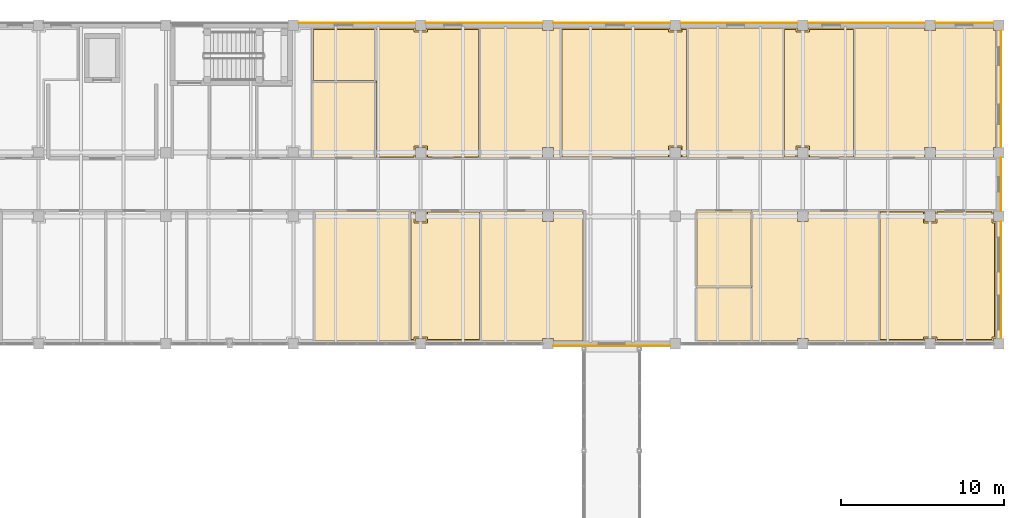
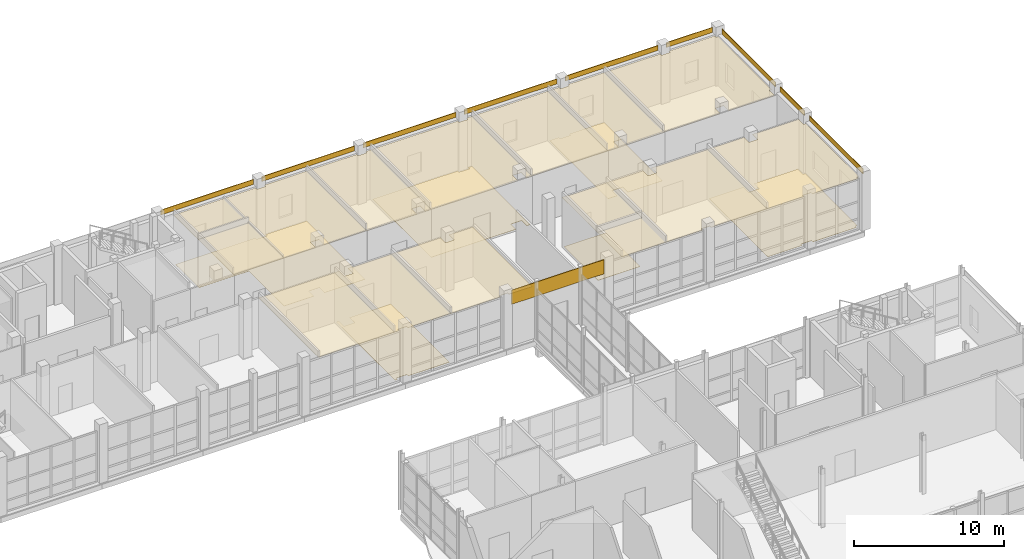
# One storey, part 129 of 131: 29 coverings.
"""IFC4 building model written with IfcOpenShell, lengths in metres."""

from ifc_helpers import new_model, si_unit, direction, frame, origin, origin_2d, place, context, subcontext, project, spatial, polyline, rectangle, outline, extrude, material, layer, layer_set, type_object, element, save


model = new_model("IFC4")

# Units and contexts
model_context = context("Model", 3, precision=1e-05, world=origin(), true_north=direction((0.0, 1.0)))
body_context = subcontext(model_context, "Body", "Model", "MODEL_VIEW")
ifc_project = project(units=[si_unit("LENGTHUNIT", "METRE"), si_unit("AREAUNIT", "SQUARE_METRE"), si_unit("VOLUMEUNIT", "CUBIC_METRE"), si_unit("PLANEANGLEUNIT", "RADIAN"), si_unit("MASSUNIT", "GRAM", prefix="KILO")], contexts=[model_context])

# Site, building, storey
site_placement = place(None, origin())
site = spatial("IfcSite", under=ifc_project, at=site_placement, CompositionType="ELEMENT")
building_placement = place(site_placement, origin())
building = spatial("IfcBuilding", under=site, at=building_placement, Name="Celorna Specialist Clinic", CompositionType="ELEMENT")
storey_placement = place(building_placement, origin())
storey = spatial("IfcBuildingStorey", under=building, at=storey_placement, Name="L00", CompositionType="ELEMENT", Elevation=0.0)

# Coverings
ifc_material_1 = material(Name="Hygienic acoustic mineral-fibre ceiling")
ifc_layer_1 = layer(ifc_material_1, 0.030029296875, Name="Hygienic acoustic mineral-fibre ceiling")
ifc_layer_set_1 = layer_set([ifc_layer_1], Name="Hygienic acoustic mineral-fibre ceiling")
covering_type_1 = type_object("IfcCoveringType", Name="CE-01", PredefinedType="CEILING", material=ifc_layer_set_1)
covering_1_placement = place(storey_placement, frame((0.0, 0.0, 3.989990234375)))
element("IfcCovering", 1, at=covering_1_placement, inside=storey, type_object=covering_type_1, Name="Acoustic ceiling L00-065", PredefinedType="CEILING", context=body_context, shape_type="SweptSolid", body=[
    extrude(outline(polyline([(131.93505859375, 104.6650390625), (131.93505859375, 96.655029296875), (126.054931640625, 96.655029296875), (126.054931640625, 104.6650390625), (131.93505859375, 104.6650390625)])), origin(), (0.0, 0.0, 1.0), 0.030029296875),
])
covering_2_placement = place(storey_placement, frame((0.0, 0.0, 3.989990234375)))
element("IfcCovering", 2, at=covering_2_placement, inside=storey, type_object=covering_type_1, Name="Acoustic ceiling L00-066", PredefinedType="CEILING", context=body_context, shape_type="SweptSolid", body=[
    extrude(outline(polyline([(132.280029296875, 104.6650390625), (132.280029296875, 104.6298828125), (132.27001953125, 104.6298828125), (132.27001953125, 103.969970703125), (132.929931640625, 103.969970703125), (132.929931640625, 104.6298828125), (132.919921875, 104.6298828125), (132.919921875, 104.6650390625), (136.284912109375, 104.6650390625), (136.284912109375, 96.655029296875), (132.929931640625, 96.655029296875), (132.929931640625, 96.830078125), (132.27001953125, 96.830078125), (132.27001953125, 96.655029296875), (131.905029296875, 96.655029296875), (131.905029296875, 104.6650390625), (132.280029296875, 104.6650390625)])), origin(), (0.0, 0.0, 1.0), 0.030029296875),
])
covering_3_placement = place(storey_placement, frame((0.0, 0.0, 3.989990234375)))
element("IfcCovering", 3, at=covering_3_placement, inside=storey, type_object=covering_type_1, Name="Acoustic ceiling L00-067", PredefinedType="CEILING", context=body_context, shape_type="SweptSolid", body=[
    extrude(outline(polyline([(140.080078125, 104.6650390625), (140.080078125, 104.6298828125), (140.070068359375, 104.6298828125), (140.070068359375, 103.969970703125), (140.72998046875, 103.969970703125), (140.72998046875, 104.6298828125), (140.719970703125, 104.6298828125), (140.719970703125, 104.6650390625), (142.544921875, 104.6650390625), (142.544921875, 96.655029296875), (140.72998046875, 96.655029296875), (140.72998046875, 96.830078125), (140.070068359375, 96.830078125), (140.070068359375, 96.655029296875), (136.2548828125, 96.655029296875), (136.2548828125, 104.6650390625), (140.080078125, 104.6650390625)])), origin(), (0.0, 0.0, 1.0), 0.030029296875),
])
covering_4_placement = place(storey_placement, frame((0.0, 0.0, 3.989990234375)))
element("IfcCovering", 4, at=covering_4_placement, inside=storey, type_object=covering_type_1, Name="Acoustic ceiling L00-068", PredefinedType="CEILING", context=body_context, shape_type="SweptSolid", body=[
    extrude(outline(polyline([(152.885009765625, 104.6650390625), (152.885009765625, 99.93505859375), (149.455078125, 99.93505859375), (149.455078125, 104.6650390625), (152.885009765625, 104.6650390625)])), origin(), (0.0, 0.0, 1.0), 0.030029296875),
])
covering_5_placement = place(storey_placement, frame((0.0, 0.0, 3.989990234375)))
element("IfcCovering", 5, at=covering_5_placement, inside=storey, type_object=covering_type_1, Name="Acoustic ceiling L00-069", PredefinedType="CEILING", context=body_context, shape_type="SweptSolid", body=[
    extrude(outline(polyline([(152.85498046875, 104.6650390625), (155.679931640625, 104.6650390625), (155.679931640625, 104.6298828125), (155.669921875, 104.6298828125), (155.669921875, 103.969970703125), (156.330078125, 103.969970703125), (156.330078125, 104.6298828125), (156.320068359375, 104.6298828125), (156.320068359375, 104.6650390625), (160.68505859375, 104.6650390625), (160.68505859375, 96.655029296875), (156.330078125, 96.655029296875), (156.330078125, 96.830078125), (155.669921875, 96.830078125), (155.669921875, 96.655029296875), (149.455078125, 96.655029296875), (149.455078125, 99.965087890625), (152.85498046875, 99.965087890625), (152.85498046875, 104.6650390625)])), origin(), (0.0, 0.0, 1.0), 0.030029296875),
])
covering_6_placement = place(storey_placement, frame((0.0, 0.0, 3.989990234375)))
element("IfcCovering", 6, at=covering_6_placement, inside=storey, type_object=covering_type_1, Name="Acoustic ceiling L00-070", PredefinedType="CEILING", context=body_context, shape_type="SweptSolid", body=[
    extrude(outline(polyline([(163.47998046875, 104.6650390625), (163.47998046875, 104.6298828125), (163.469970703125, 104.6298828125), (163.469970703125, 103.969970703125), (164.1298828125, 103.969970703125), (164.1298828125, 104.6298828125), (164.1201171875, 104.6298828125), (164.1201171875, 104.6650390625), (167.679931640625, 104.6650390625), (167.679931640625, 104.6298828125), (167.669921875, 104.6298828125), (167.669921875, 103.969970703125), (167.844970703125, 103.969970703125), (167.844970703125, 96.830078125), (167.669921875, 96.830078125), (167.669921875, 96.655029296875), (164.1298828125, 96.655029296875), (164.1298828125, 96.830078125), (163.469970703125, 96.830078125), (163.469970703125, 96.655029296875), (160.655029296875, 96.655029296875), (160.655029296875, 104.6650390625), (163.47998046875, 104.6650390625)])), origin(), (0.0, 0.0, 1.0), 0.030029296875),
])
covering_7_placement = place(storey_placement, frame((0.0, 0.0, 3.989990234375)))
element("IfcCovering", 7, at=covering_7_placement, inside=storey, type_object=covering_type_1, Name="Acoustic ceiling L00-081", PredefinedType="CEILING", context=body_context, shape_type="SweptSolid", body=[
    extrude(outline(polyline([(129.8349609375, 112.56494140625), (129.8349609375, 107.8349609375), (125.955078125, 107.8349609375), (125.955078125, 112.56494140625), (129.8349609375, 112.56494140625)])), origin(), (0.0, 0.0, 1.0), 0.030029296875),
])
covering_8_placement = place(storey_placement, frame((0.0, 0.0, 3.989990234375)))
element("IfcCovering", 8, at=covering_8_placement, inside=storey, type_object=covering_type_1, Name="Acoustic ceiling L00-082", PredefinedType="CEILING", context=body_context, shape_type="SweptSolid", body=[
    extrude(outline(polyline([(129.804931640625, 112.534912109375), (125.955078125, 112.534912109375), (125.955078125, 115.844970703125), (132.27001953125, 115.844970703125), (132.27001953125, 115.669921875), (132.929931640625, 115.669921875), (132.929931640625, 115.844970703125), (136.235107421875, 115.844970703125), (136.235107421875, 107.8349609375), (132.919921875, 107.8349609375), (132.919921875, 107.8701171875), (132.929931640625, 107.8701171875), (132.929931640625, 108.530029296875), (132.27001953125, 108.530029296875), (132.27001953125, 107.8701171875), (132.280029296875, 107.8701171875), (132.280029296875, 107.8349609375), (129.804931640625, 107.8349609375), (129.804931640625, 112.534912109375)])), origin(), (0.0, 0.0, 1.0), 0.030029296875),
])
covering_9_placement = place(storey_placement, frame((0.0, 0.0, 3.989990234375)))
element("IfcCovering", 9, at=covering_9_placement, inside=storey, type_object=covering_type_1, Name="Acoustic ceiling L00-083", PredefinedType="CEILING", context=body_context, shape_type="SweptSolid", body=[
    extrude(outline(polyline([(140.070068359375, 115.844970703125), (140.070068359375, 115.669921875), (140.72998046875, 115.669921875), (140.72998046875, 115.844970703125), (141.18505859375, 115.844970703125), (141.18505859375, 107.8349609375), (140.719970703125, 107.8349609375), (140.719970703125, 107.8701171875), (140.72998046875, 107.8701171875), (140.72998046875, 108.530029296875), (140.070068359375, 108.530029296875), (140.070068359375, 107.8701171875), (140.080078125, 107.8701171875), (140.080078125, 107.8349609375), (136.205078125, 107.8349609375), (136.205078125, 115.844970703125), (140.070068359375, 115.844970703125)])), origin(), (0.0, 0.0, 1.0), 0.030029296875),
])
covering_10_placement = place(storey_placement, frame((0.0, 0.0, 3.989990234375)))
element("IfcCovering", 10, at=covering_10_placement, inside=storey, type_object=covering_type_1, Name="Acoustic ceiling L00-084", PredefinedType="CEILING", context=body_context, shape_type="SweptSolid", body=[
    extrude(outline(polyline([(147.8701171875, 115.844970703125), (147.8701171875, 115.669921875), (148.530029296875, 115.669921875), (148.530029296875, 115.844970703125), (148.985107421875, 115.844970703125), (148.985107421875, 107.8349609375), (148.52001953125, 107.8349609375), (148.52001953125, 107.8701171875), (148.530029296875, 107.8701171875), (148.530029296875, 108.530029296875), (147.8701171875, 108.530029296875), (147.8701171875, 107.8701171875), (147.8798828125, 107.8701171875), (147.8798828125, 107.8349609375), (141.155029296875, 107.8349609375), (141.155029296875, 115.844970703125), (147.8701171875, 115.844970703125)])), origin(), (0.0, 0.0, 1.0), 0.030029296875),
])
covering_11_placement = place(storey_placement, frame((0.0, 0.0, 3.989990234375)))
element("IfcCovering", 11, at=covering_11_placement, inside=storey, type_object=covering_type_1, Name="Acoustic ceiling L00-085", PredefinedType="CEILING", context=body_context, shape_type="SweptSolid", body=[
    extrude(outline(polyline([(154.8349609375, 115.844970703125), (154.8349609375, 107.8349609375), (148.955078125, 107.8349609375), (148.955078125, 115.844970703125), (154.8349609375, 115.844970703125)])), origin(), (0.0, 0.0, 1.0), 0.030029296875),
])
covering_12_placement = place(storey_placement, frame((0.0, 0.0, 3.989990234375)))
element("IfcCovering", 12, at=covering_12_placement, inside=storey, type_object=covering_type_1, Name="Acoustic ceiling L00-086", PredefinedType="CEILING", context=body_context, shape_type="SweptSolid", body=[
    extrude(outline(polyline([(155.669921875, 115.844970703125), (155.669921875, 115.669921875), (156.330078125, 115.669921875), (156.330078125, 115.844970703125), (159.18505859375, 115.844970703125), (159.18505859375, 107.8349609375), (156.320068359375, 107.8349609375), (156.320068359375, 107.8701171875), (156.330078125, 107.8701171875), (156.330078125, 108.530029296875), (155.669921875, 108.530029296875), (155.669921875, 107.8701171875), (155.679931640625, 107.8701171875), (155.679931640625, 107.8349609375), (154.804931640625, 107.8349609375), (154.804931640625, 115.844970703125), (155.669921875, 115.844970703125)])), origin(), (0.0, 0.0, 1.0), 0.030029296875),
])
covering_13_placement = place(storey_placement, frame((0.0, 0.0, 3.989990234375)))
element("IfcCovering", 13, at=covering_13_placement, inside=storey, type_object=covering_type_1, Name="Acoustic ceiling L00-087", PredefinedType="CEILING", context=body_context, shape_type="SweptSolid", body=[
    extrude(outline(polyline([(163.469970703125, 115.844970703125), (163.469970703125, 115.669921875), (164.1298828125, 115.669921875), (164.1298828125, 115.844970703125), (167.669921875, 115.844970703125), (167.669921875, 115.669921875), (167.844970703125, 115.669921875), (167.844970703125, 108.530029296875), (167.669921875, 108.530029296875), (167.669921875, 107.8701171875), (167.679931640625, 107.8701171875), (167.679931640625, 107.8349609375), (164.1201171875, 107.8349609375), (164.1201171875, 107.8701171875), (164.1298828125, 107.8701171875), (164.1298828125, 108.530029296875), (163.469970703125, 108.530029296875), (163.469970703125, 107.8701171875), (163.47998046875, 107.8701171875), (163.47998046875, 107.8349609375), (159.155029296875, 107.8349609375), (159.155029296875, 115.844970703125), (163.469970703125, 115.844970703125)])), origin(), (0.0, 0.0, 1.0), 0.030029296875),
])
ifc_material_2 = material(Name="Pero Pinheiro Lioz limestone rainscreen cladding", Category="masonry")
ifc_layer_2 = layer(ifc_material_2, 0.044921875, Name="Pero Pinheiro Lioz limestone rainscreen cladding")
ifc_layer_set_2 = layer_set([ifc_layer_2], Name="Pero Pinheiro Lioz limestone rainscreen cladding")
covering_type_2 = type_object("IfcCoveringType", Name="CL-01", PredefinedType="CLADDING", material=ifc_layer_set_2)
covering_14_placement = place(storey_placement, frame((144.300048828125, 96.3525390625, 3.384765625), z_axis=(0.0, 0.0, 1.0), x_axis=(-1.0, 0.0, 0.0)))
element("IfcCovering", 14, at=covering_14_placement, inside=storey, type_object=covering_type_2, Name="Lioz spandrel cladding #158", PredefinedType="CLADDING", context=body_context, shape_type="SweptSolid", body=[
    extrude(rectangle(XDim=7.14990234375, YDim=0.044921875, at=origin_2d()), origin(), (0.0, 0.0, 1.0), 1.155029296875),
])
for number, where, z_axis, x_axis, name in (
    (15, (128.699951171875, 116.1474609375, 4.14013671875), (0.0, 0.0, 1.0), (1.0, 0.0, 0.0), "Lioz spandrel cladding #175"),
    (16, (136.5, 116.1474609375, 4.14013671875), (0.0, 0.0, 1.0), (1.0, 0.0, 0.0), "Lioz spandrel cladding #176"),
    (17, (144.300048828125, 116.1474609375, 4.14013671875), (0.0, 0.0, 1.0), (1.0, 0.0, 0.0), "Lioz spandrel cladding #177"),
    (18, (152.10009765625, 116.1474609375, 4.14013671875), (0.0, 0.0, 1.0), (1.0, 0.0, 0.0), "Lioz spandrel cladding #178"),
    (19, (159.89990234375, 116.1474609375, 4.14013671875), (0.0, 0.0, 1.0), (1.0, 0.0, 0.0), "Lioz spandrel cladding #179"),
):
    element("IfcCovering", number, at=place(storey_placement, frame(where, z_axis=z_axis, x_axis=x_axis)), inside=storey, type_object=covering_type_2, Name=name, PredefinedType="CLADDING", context=body_context, shape_type="SweptSolid", body=[
        extrude(rectangle(XDim=7.14990234375, YDim=0.044921875, at=origin_2d()), origin(), (0.0, 0.0, 1.0), 0.39990234375),
    ])
covering_15_placement = place(storey_placement, frame((165.89990234375, 116.1474609375, 4.14013671875), z_axis=(0.0, 0.0, 1.0), x_axis=(1.0, 0.0, 0.0)))
element("IfcCovering", 20, at=covering_15_placement, inside=storey, type_object=covering_type_2, Name="Lioz spandrel cladding #180", PredefinedType="CLADDING", context=body_context, shape_type="SweptSolid", body=[
    extrude(rectangle(XDim=3.550048828125, YDim=0.044921875, at=origin_2d()), origin(), (0.0, 0.0, 1.0), 0.39990234375),
])
covering_16_placement = place(storey_placement, frame((168.1474609375, 100.39990234375, 4.14013671875), z_axis=(0.0, 0.0, 1.0), x_axis=(0.0, -1.0, 0.0)))
element("IfcCovering", 21, at=covering_16_placement, inside=storey, type_object=covering_type_2, Name="Lioz spandrel cladding #184", PredefinedType="CLADDING", context=body_context, shape_type="SweptSolid", body=[
    extrude(rectangle(XDim=7.14990234375, YDim=0.044921875, at=origin_2d()), origin(), (0.0, 0.0, 1.0), 0.39990234375),
])
covering_17_placement = place(storey_placement, frame((168.1474609375, 106.25, 4.14013671875), z_axis=(0.0, 0.0, 1.0), x_axis=(0.0, -1.0, 0.0)))
element("IfcCovering", 22, at=covering_17_placement, inside=storey, type_object=covering_type_2, Name="Lioz spandrel cladding #185", PredefinedType="CLADDING", context=body_context, shape_type="SweptSolid", body=[
    extrude(rectangle(XDim=3.25, YDim=0.044921875, at=origin_2d()), origin(), (0.0, 0.0, 1.0), 0.39990234375),
])
covering_18_placement = place(storey_placement, frame((168.1474609375, 112.10009765625, 4.14013671875), z_axis=(0.0, 0.0, 1.0), x_axis=(0.0, -1.0, 0.0)))
element("IfcCovering", 23, at=covering_18_placement, inside=storey, type_object=covering_type_2, Name="Lioz spandrel cladding #186", PredefinedType="CLADDING", context=body_context, shape_type="SweptSolid", body=[
    extrude(rectangle(XDim=7.14990234375, YDim=0.044921875, at=origin_2d()), origin(), (0.0, 0.0, 1.0), 0.39990234375),
])
ifc_material_3 = material(Name="Seamless antimicrobial clinical vinyl and Lioz terrazzo flooring")
ifc_layer_3 = layer(ifc_material_3, 0.02001953125, Name="Seamless antimicrobial clinical vinyl and Lioz terrazzo flooring")
ifc_layer_set_3 = layer_set([ifc_layer_3], Name="Seamless antimicrobial clinical vinyl and Lioz terrazzo flooring")
covering_type_3 = type_object("IfcCoveringType", Name="FL-01", PredefinedType="FLOORING", material=ifc_layer_set_3)
covering_19_placement = place(storey_placement, origin())
element("IfcCovering", 24, at=covering_19_placement, inside=storey, type_object=covering_type_3, Name="Antimicrobial clinical flooring L00-066", PredefinedType="FLOORING", context=body_context, shape_type="SweptSolid", body=[
    extrude(outline(polyline([(131.9951171875, 104.574951171875), (132.18994140625, 104.574951171875), (132.18994140625, 103.889892578125), (133.010009765625, 103.889892578125), (133.010009765625, 104.574951171875), (136.195068359375, 104.574951171875), (136.195068359375, 96.7451171875), (133.010009765625, 96.7451171875), (133.010009765625, 96.909912109375), (132.18994140625, 96.909912109375), (132.18994140625, 96.7451171875), (131.9951171875, 96.7451171875), (131.9951171875, 104.574951171875)])), origin(), (0.0, 0.0, 1.0), 0.02001953125),
])
covering_20_placement = place(storey_placement, origin())
element("IfcCovering", 25, at=covering_20_placement, inside=storey, type_object=covering_type_3, Name="Antimicrobial clinical flooring L00-068", PredefinedType="FLOORING", context=body_context, shape_type="SweptSolid", body=[
    extrude(outline(polyline([(149.544921875, 104.574951171875), (152.794921875, 104.574951171875), (152.794921875, 100.02490234375), (149.544921875, 100.02490234375), (149.544921875, 104.574951171875)])), origin(), (0.0, 0.0, 1.0), 0.02001953125),
])
covering_21_placement = place(storey_placement, origin())
element("IfcCovering", 26, at=covering_21_placement, inside=storey, type_object=covering_type_3, Name="Antimicrobial clinical flooring L00-070", PredefinedType="FLOORING", context=body_context, shape_type="SweptSolid", body=[
    extrude(outline(polyline([(160.7451171875, 104.574951171875), (163.389892578125, 104.574951171875), (163.389892578125, 103.889892578125), (164.2099609375, 103.889892578125), (164.2099609375, 104.574951171875), (167.590087890625, 104.574951171875), (167.590087890625, 103.889892578125), (167.7548828125, 103.889892578125), (167.7548828125, 96.909912109375), (167.590087890625, 96.909912109375), (167.590087890625, 96.7451171875), (164.2099609375, 96.7451171875), (164.2099609375, 96.909912109375), (163.389892578125, 96.909912109375), (163.389892578125, 96.7451171875), (160.7451171875, 96.7451171875), (160.7451171875, 104.574951171875)])), origin(), (0.0, 0.0, 1.0), 0.02001953125),
])
covering_22_placement = place(storey_placement, origin())
element("IfcCovering", 27, at=covering_22_placement, inside=storey, type_object=covering_type_3, Name="Antimicrobial clinical flooring L00-082", PredefinedType="FLOORING", context=body_context, shape_type="SweptSolid", body=[
    extrude(outline(polyline([(129.89501953125, 107.925048828125), (129.89501953125, 112.625), (126.044921875, 112.625), (126.044921875, 115.7548828125), (132.18994140625, 115.7548828125), (132.18994140625, 115.590087890625), (133.010009765625, 115.590087890625), (133.010009765625, 115.7548828125), (136.14501953125, 115.7548828125), (136.14501953125, 107.925048828125), (133.010009765625, 107.925048828125), (133.010009765625, 108.610107421875), (132.18994140625, 108.610107421875), (132.18994140625, 107.925048828125), (129.89501953125, 107.925048828125)])), origin(), (0.0, 0.0, 1.0), 0.02001953125),
])
covering_23_placement = place(storey_placement, origin())
element("IfcCovering", 28, at=covering_23_placement, inside=storey, type_object=covering_type_3, Name="Antimicrobial clinical flooring L00-084", PredefinedType="FLOORING", context=body_context, shape_type="SweptSolid", body=[
    extrude(outline(polyline([(141.2451171875, 115.7548828125), (147.7900390625, 115.7548828125), (147.7900390625, 115.590087890625), (148.610107421875, 115.590087890625), (148.610107421875, 115.7548828125), (148.89501953125, 115.7548828125), (148.89501953125, 107.925048828125), (148.610107421875, 107.925048828125), (148.610107421875, 108.610107421875), (147.7900390625, 108.610107421875), (147.7900390625, 107.925048828125), (141.2451171875, 107.925048828125), (141.2451171875, 115.7548828125)])), origin(), (0.0, 0.0, 1.0), 0.02001953125),
])
covering_24_placement = place(storey_placement, origin())
element("IfcCovering", 29, at=covering_24_placement, inside=storey, type_object=covering_type_3, Name="Antimicrobial clinical flooring L00-086", PredefinedType="FLOORING", context=body_context, shape_type="SweptSolid", body=[
    extrude(outline(polyline([(154.89501953125, 115.7548828125), (155.590087890625, 115.7548828125), (155.590087890625, 115.590087890625), (156.409912109375, 115.590087890625), (156.409912109375, 115.7548828125), (159.094970703125, 115.7548828125), (159.094970703125, 107.925048828125), (156.409912109375, 107.925048828125), (156.409912109375, 108.610107421875), (155.590087890625, 108.610107421875), (155.590087890625, 107.925048828125), (154.89501953125, 107.925048828125), (154.89501953125, 115.7548828125)])), origin(), (0.0, 0.0, 1.0), 0.02001953125),
])

save(model, "model.ifc")
